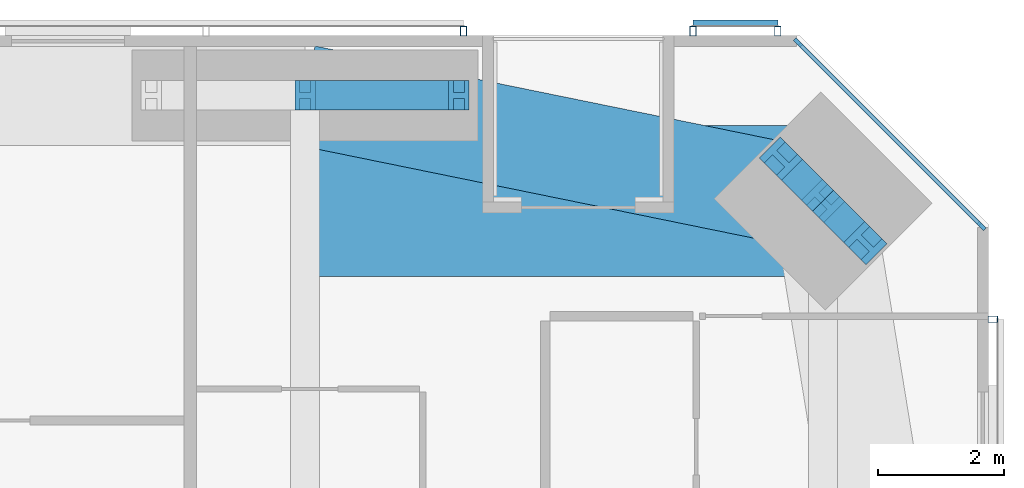
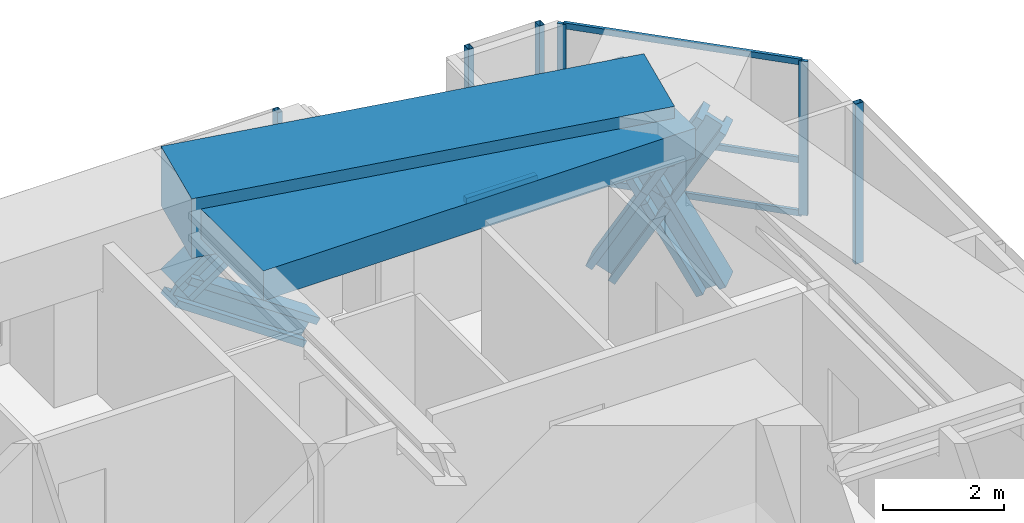
# One storey, part 14 of 23: 16 members, 2 beams, 4 elements without a shape of their own.
"""IFC4 building model written with IfcOpenShell, lengths in metres."""

import ifcopenshell
import ifcopenshell.guid

model = None  # the IFC model being written
_history = None  # IfcOwnerHistory: only IFC2X3 demands one
_inside = {}  # id of a spatial element -> (the spatial element, [elements in it])
_under = {}  # id of a project, library or spatial element -> (it, [spatial elements below it])
_declared = {}  # id of a project -> (the project, [libraries it declares])
_typed = {}  # id of a type object -> (the type object, [elements of that type])
_made_of = {}  # id of a material, layer set ... -> (it, [elements and type objects made of it])


def new_model(schema):
    """Start an empty IFC model of exactly this schema.

    Asked for "IFC4X3", IfcOpenShell would pick the latest addendum, in which some entities
    have other attributes; the version numbers below select the first issue.
    IFC2X3 requires an IfcOwnerHistory on every rooted entity: one is made here for all.
    """
    global model, _history
    if schema == "IFC4X3":
        model = ifcopenshell.file(schema_version=(4, 3, 0, 0))
    else:
        model = ifcopenshell.file(schema=schema)
    _inside.clear()
    _under.clear()
    _declared.clear()
    _typed.clear()
    _made_of.clear()
    _history = None
    if model.schema == "IFC2X3":
        org = make("IfcOrganization", Name="unknown")
        user = make(
            "IfcPersonAndOrganization",
            ThePerson=make("IfcPerson", FamilyName="unknown"),
            TheOrganization=org,
        )
        app = make(
            "IfcApplication",
            ApplicationDeveloper=org,
            Version="unknown",
            ApplicationFullName="unknown",
            ApplicationIdentifier="unknown",
        )
        _history = make(
            "IfcOwnerHistory",
            OwningUser=user,
            OwningApplication=app,
            ChangeAction="ADDED",
            CreationDate=0,
        )
    return model


def make(cls, **values):
    """One entity of the class cls with the attributes given. An attribute that is None is left unset."""
    return model.create_entity(
        cls, **{name: value for name, value in values.items() if value is not None}
    )


def rooted(cls, **values):
    """An entity with a GlobalId (a new one), such as an element, a storey or a relation."""
    return make(cls, GlobalId=ifcopenshell.guid.new(), OwnerHistory=_history, **values)


def si_unit(unit_type, name, prefix=None):
    """IfcSIUnit, for example si_unit("LENGTHUNIT", "METRE", prefix="MILLI")."""
    return make("IfcSIUnit", UnitType=unit_type, Prefix=prefix, Name=name)


def assignment(units):
    """IfcUnitAssignment: the units of a project."""
    return None if units is None else make("IfcUnitAssignment", Units=units)


def point(xyz):
    """IfcCartesianPoint."""
    return None if xyz is None else make("IfcCartesianPoint", Coordinates=xyz)


def direction(xyz):
    """IfcDirection."""
    return None if xyz is None else make("IfcDirection", DirectionRatios=xyz)


def frame(location, z_axis=None, x_axis=None):
    """IfcAxis2Placement3D, a coordinate frame: its origin and axes. An axis left out is left unset."""
    return make(
        "IfcAxis2Placement3D",
        Location=point(location),
        Axis=direction(z_axis),
        RefDirection=direction(x_axis),
    )


def frame_2d(location, x_axis=None):
    """IfcAxis2Placement2D, a coordinate frame in the plane: its origin and x axis."""
    return make(
        "IfcAxis2Placement2D", Location=point(location), RefDirection=direction(x_axis)
    )


def origin():
    """The frame at (0, 0, 0) with its axes left unset."""
    return frame((0.0, 0.0, 0.0))


def origin_2d():
    """The frame at (0, 0) in the plane with its x axis left unset."""
    return frame_2d((0.0, 0.0))


def place(relative_to, where):
    """IfcLocalPlacement: puts the frame where relative to a parent placement (None: the world)."""
    return make(
        "IfcLocalPlacement", PlacementRelTo=relative_to, RelativePlacement=where
    )


def context(
    kind, dimensions, precision=None, world=None, true_north=None, identifier=None
):
    """IfcGeometricRepresentationContext, for example the 3D "Model" context."""
    return make(
        "IfcGeometricRepresentationContext",
        ContextIdentifier=identifier,
        ContextType=kind,
        CoordinateSpaceDimension=dimensions,
        Precision=precision,
        WorldCoordinateSystem=world,
        TrueNorth=true_north,
    )


def subcontext(parent, identifier, kind, view, scale=None):
    """IfcGeometricRepresentationSubContext, for example "Body" below "Model"."""
    return make(
        "IfcGeometricRepresentationSubContext",
        ContextIdentifier=identifier,
        ContextType=kind,
        ParentContext=parent,
        TargetScale=scale,
        TargetView=view,
    )


def project(units=None, contexts=None):
    """IfcProject with its units and contexts."""
    return rooted(
        "IfcProject",
        Name="project",
        RepresentationContexts=contexts,
        UnitsInContext=assignment(units),
    )


def spatial(cls, under=None, at=None, **own):
    """A site, building, storey or space (cls), placed at a placement, below another one or the project."""
    s = rooted(cls, ObjectPlacement=at, **own)
    if under is not None:
        _under.setdefault(under.id(), (under, []))[1].append(s)
    return s


def profile(cls, at=None, kind="AREA", **sizes):
    """A parametric profile (cls). Its sizes go by their IFC names, for example OverallWidth=200.0."""
    return make(cls, ProfileType=kind, Position=at, **sizes)


def rectangle(**sizes):
    """IfcRectangleProfileDef."""
    return profile("IfcRectangleProfileDef", **sizes)


def hollow_rectangle(**sizes):
    """IfcRectangleHollowProfileDef."""
    return profile("IfcRectangleHollowProfileDef", **sizes)


def i_section(**sizes):
    """IfcIShapeProfileDef."""
    return profile("IfcIShapeProfileDef", **sizes)


def extrude(swept, where, along, depth):
    """IfcExtrudedAreaSolid: the profile swept, set in the frame where, extruded along a direction by depth."""
    return make(
        "IfcExtrudedAreaSolid",
        SweptArea=swept,
        Position=where,
        ExtrudedDirection=direction(along),
        Depth=depth,
    )


def shape(context_of_items, identifier, shape_type, items):
    """IfcShapeRepresentation: the items that make up one representation, for example the "Body"."""
    return make(
        "IfcShapeRepresentation",
        ContextOfItems=context_of_items,
        RepresentationIdentifier=identifier,
        RepresentationType=shape_type,
        Items=items,
    )


def material(Name=None, Category=None):
    """IfcMaterial."""
    return make("IfcMaterial", Name=Name, Category=Category)


def material_profile(
    of_material, cross_section, Name=None, Category=None, Priority=None
):
    """IfcMaterialProfile: a cross section and its material."""
    return make(
        "IfcMaterialProfile",
        Name=Name,
        Material=of_material,
        Profile=cross_section,
        Priority=Priority,
        Category=Category,
    )


def profile_set(profiles, Name=None, composite=None):
    """IfcMaterialProfileSet."""
    return make(
        "IfcMaterialProfileSet",
        Name=Name,
        MaterialProfiles=profiles,
        CompositeProfile=composite,
    )


def made_of(thing, what):
    """Note that an element or type object is made of a material, layer set ...; save() writes the relation."""
    if what is not None:
        _made_of.setdefault(what.id(), (what, []))[1].append(thing)
    return thing


def type_object(cls, material=None, **own):
    """A type object (cls), such as IfcWallType, which elements share."""
    return made_of(rooted(cls, **own), material)


def element(
    cls,
    number,
    at=None,
    inside=None,
    cuts=None,
    type_object=None,
    material=None,
    context=None,
    identifier="Body",
    shape_type=None,
    held_by="IfcProductDefinitionShape",
    body=None,
    shapes=None,
    **own,
):
    """One element of the class cls, such as IfcWall. Its Tag is "e" and its number.

    at: its placement. inside: the storey or other place that contains it. cuts: it is an
    opening in that element (IfcRelVoidsElement). A single representation is given by context,
    identifier, shape_type and body (its items); several are given by shapes. held_by: the class
    of the entity that holds the representations. save() writes the other relations.
    """
    e = rooted(cls, Tag="e%d" % number, ObjectPlacement=at, **own)
    if body is not None:
        shapes = [shape(context, identifier, shape_type, body)]
    if shapes is not None:
        e.Representation = make(held_by, Representations=shapes)
    if inside is not None:
        _inside.setdefault(inside.id(), (inside, []))[1].append(e)
    if cuts is not None:
        rooted(
            "IfcRelVoidsElement", RelatingBuildingElement=cuts, RelatedOpeningElement=e
        )
    if type_object is not None:
        _typed.setdefault(type_object.id(), (type_object, []))[1].append(e)
    return made_of(e, material)


def aggregate(whole, parts):
    """IfcRelAggregates: a whole, such as a stair, and the parts it consists of."""
    return rooted("IfcRelAggregates", RelatingObject=whole, RelatedObjects=parts)


def save(model, path):
    """Write the relations noted so far, then the file.

    IfcRelAggregates (storeys below a building ...), IfcRelContainedInSpatialStructure (elements
    in a storey), IfcRelDefinesByType, IfcRelAssociatesMaterial and IfcRelDeclares: one each for
    every whole, place, type object, material and project.
    """
    for whole, parts in _under.values():
        aggregate(whole, parts)
    for where, things in _inside.values():
        rooted(
            "IfcRelContainedInSpatialStructure",
            RelatedElements=things,
            RelatingStructure=where,
        )
    for kind, things in _typed.values():
        rooted("IfcRelDefinesByType", RelatedObjects=things, RelatingType=kind)
    for what, things in _made_of.values():
        rooted("IfcRelAssociatesMaterial", RelatedObjects=things, RelatingMaterial=what)
    for by, libraries in _declared.values():
        rooted("IfcRelDeclares", RelatingContext=by, RelatedDefinitions=libraries)
    model.write(path)


model = new_model("IFC4")

# Units and contexts
model_context = context("Model", 3, precision=1e-05, world=origin(), true_north=direction((0.0, 1.0)))
body_context = subcontext(model_context, "Body", "Model", "MODEL_VIEW")
ifc_project = project(units=[si_unit("LENGTHUNIT", "METRE"), si_unit("AREAUNIT", "SQUARE_METRE"), si_unit("VOLUMEUNIT", "CUBIC_METRE"), si_unit("PLANEANGLEUNIT", "RADIAN"), si_unit("MASSUNIT", "GRAM", prefix="KILO")], contexts=[model_context])

# Site, building, storey
site_placement = place(None, origin())
site = spatial("IfcSite", under=ifc_project, at=site_placement, CompositionType="ELEMENT")
building_placement = place(site_placement, origin())
building = spatial("IfcBuilding", under=site, at=building_placement, Name="Jalousie Tower", CompositionType="ELEMENT")
storey_placement = place(building_placement, frame((0.0, 0.0, 121.60009765625)))
storey = spatial("IfcBuildingStorey", under=building, at=storey_placement, Name="L33", CompositionType="ELEMENT", Elevation=121.60009765625)

# Curtain wall, members
ifc_material_1 = material(Name="Aluminium curtain wall", Category="aluminium")
curtain_wall_type_1 = type_object("IfcCurtainWallType", Name="CORNER WINDOW WALL", PredefinedType="USERDEFINED", material=ifc_material_1)
curtain_wall_1_placement = place(storey_placement, origin())
curtain_wall_1 = element("IfcCurtainWall", 1, at=curtain_wall_1_placement, inside=storey, type_object=curtain_wall_type_1, Name="Corner Window Wall L33 4", ObjectType="CORNER WINDOW WALL", PredefinedType="USERDEFINED")
ifc_material_2 = material(Name="Aluminium mullion", Category="aluminium")
ifc_material_profile_1 = material_profile(ifc_material_2, rectangle(XDim=0.06005859375, YDim=0.14990234375, at=origin_2d()), Name="MULLION 60x150")
ifc_profile_set_1 = profile_set([ifc_material_profile_1], Name="Aluminium mullion")
member_type_1 = type_object("IfcMemberType", Name="CORNER WINDOW WALL MULLION", PredefinedType="MULLION", material=ifc_profile_set_1)
member_1_placement = place(storey_placement, frame((49.391357421875, 34.969970703125, 0.0), z_axis=(0.0, 0.0, 1.0), x_axis=(-0.707106781187, -0.707106781187, 0.0)))
member_1 = element("IfcMember", 2, at=member_1_placement, type_object=member_type_1, Name="CW-C mullion 1", PredefinedType="MULLION", context=body_context, shape_type="SweptSolid", body=[
    extrude(rectangle(XDim=0.06005859375, YDim=0.14990234375, at=origin_2d()), origin(), (0.0, 0.0, 1.0), 3.10986328125),
])
member_2_placement = place(storey_placement, frame((46.469970703125, 37.891357421875, 0.0), z_axis=(0.0, 0.0, 1.0), x_axis=(-0.707106781187, -0.707106781187, 0.0)))
member_2 = element("IfcMember", 3, at=member_2_placement, type_object=member_type_1, Name="CW-C mullion 2", PredefinedType="MULLION", context=body_context, shape_type="SweptSolid", body=[
    extrude(rectangle(XDim=0.06005859375, YDim=0.14990234375, at=origin_2d()), origin(), (0.0, 0.0, 1.0), 3.10986328125),
])
ifc_material_3 = material(Name="Aluminium transom", Category="aluminium")
ifc_material_profile_2 = material_profile(ifc_material_3, rectangle(XDim=0.06005859375, YDim=0.1201171875, at=origin_2d()), Name="TRANSOM 60x120")
ifc_profile_set_2 = profile_set([ifc_material_profile_2], Name="Aluminium transom")
member_type_2 = type_object("IfcMemberType", Name="CORNER WINDOW WALL TRANSOM", PredefinedType="USERDEFINED", material=ifc_profile_set_2)
member_3_placement = place(storey_placement, frame((49.3701171875, 34.9912109375, 0.02978515625), z_axis=(-0.707106781187, 0.707106781187, 0.0), x_axis=(-0.707106781187, -0.707106781187, 0.0)))
member_3 = element("IfcMember", 4, at=member_3_placement, type_object=member_type_2, Name="CW-C transom 1.1", ObjectType="TRANSOM", PredefinedType="USERDEFINED", context=body_context, shape_type="SweptSolid", body=[
    extrude(rectangle(XDim=0.06005859375, YDim=0.1201171875, at=origin_2d()), origin(), (0.0, 0.0, 1.0), 4.0712890625),
])
member_4_placement = place(storey_placement, frame((49.3701171875, 34.9912109375, 1.099853515625), z_axis=(-0.707106781187, 0.707106781187, 0.0), x_axis=(-0.707106781187, -0.707106781187, 0.0)))
member_4 = element("IfcMember", 5, at=member_4_placement, type_object=member_type_2, Name="CW-C transom 1.2", ObjectType="TRANSOM", PredefinedType="USERDEFINED", context=body_context, shape_type="SweptSolid", body=[
    extrude(rectangle(XDim=0.06005859375, YDim=0.1201171875, at=origin_2d()), origin(), (0.0, 0.0, 1.0), 4.0712890625),
])
member_5_placement = place(storey_placement, frame((49.3701171875, 34.9912109375, 3.079833984375), z_axis=(-0.707106781187, 0.707106781187, 0.0), x_axis=(-0.707106781187, -0.707106781187, 0.0)))
member_5 = element("IfcMember", 6, at=member_5_placement, type_object=member_type_2, Name="CW-C transom 1.3", ObjectType="TRANSOM", PredefinedType="USERDEFINED", context=body_context, shape_type="SweptSolid", body=[
    extrude(rectangle(XDim=0.06005859375, YDim=0.1201171875, at=origin_2d()), origin(), (0.0, 0.0, 1.0), 4.0712890625),
])
aggregate(curtain_wall_1, [member_1, member_2, member_3, member_4, member_5])

# Members
ifc_material_4 = material(Name="Steel ASTM A992 Grade 50", Category="steel")
ifc_material_profile_3 = material_profile(ifc_material_4, i_section(OverallWidth=0.472412109375, OverallDepth=0.5791015625, WebThickness=0.094970703125, FlangeThickness=0.1298828125, at=origin_2d()), Name="W14X808")
ifc_profile_set_3 = profile_set([ifc_material_profile_3], Name="Steel ASTM A992 Grade 50")
member_type_3 = type_object("IfcMemberType", Name="PERIMETER BRACE W14X808", PredefinedType="BRACE", material=ifc_profile_set_3)
for number, where, z_axis, x_axis, name in (
    (7, (47.540283203125, 34.697021484375, -0.60009765625), (-0.348789058631, 0.348789058631, 0.869880672943), (-0.707106781187, -0.707106781187, 0.0), "Perimeter brace 08 L33 part 1"),
    (8, (46.86865234375, 35.36865234375, 1.074951171875), (-0.348789058631, 0.348789058631, 0.869880672943), (-0.707106781187, -0.707106781187, 0.0), "Perimeter brace 08 L33 part 2"),
    (9, (46.197021484375, 36.040283203125, -0.60009765625), (0.348789058631, -0.348789058631, 0.869880672943), (0.707106781187, 0.707106781187, 0.0), "Perimeter brace 08 L33 part 3"),
    (10, (46.86865234375, 35.36865234375, 1.074951171875), (0.348789058631, -0.348789058631, 0.869880672943), (0.707106781187, 0.707106781187, 0.0), "Perimeter brace 08 L33 part 4"),
):
    element("IfcMember", number, at=place(storey_placement, frame(where, z_axis=z_axis, x_axis=x_axis)), inside=storey, type_object=member_type_3, Name=name, PredefinedType="BRACE", context=body_context, shape_type="SweptSolid", body=[
        extrude(i_section(OverallWidth=0.472412109375, OverallDepth=0.5791015625, WebThickness=0.094970703125, FlangeThickness=0.1298828125, at=origin_2d()), origin(), (0.0, 0.0, 1.0), 1.925537109375),
    ])
for number, where, z_axis, x_axis, name in (
    (11, (38.625, 37.050048828125, 1.074951171875), (0.825500916831, 0.0, 0.564400776321), (0.0, 1.0, 0.0), "Perimeter brace 09 L33 part 2"),
    (12, (41.074951171875, 37.050048828125, -0.60009765625), (-0.825500916831, 0.0, 0.564400776321), (0.0, -1.0, 0.0), "Perimeter brace 09 L33 part 3"),
):
    element("IfcMember", number, at=place(storey_placement, frame(where, z_axis=z_axis, x_axis=x_axis)), inside=storey, type_object=member_type_3, Name=name, PredefinedType="BRACE", context=body_context, shape_type="SweptSolid", body=[
        extrude(i_section(OverallWidth=0.472412109375, OverallDepth=0.5791015625, WebThickness=0.094970703125, FlangeThickness=0.1298828125, at=origin_2d()), origin(), (0.0, 0.0, 1.0), 2.9677734375),
    ])

# Beams
ifc_material_5 = material(Name="Concrete f'c 40 MPa", Category="concrete")
ifc_material_profile_4 = material_profile(ifc_material_5, rectangle(XDim=1.60009765625, YDim=1.199951171875, at=origin_2d()), Name="RC 1600x1200")
ifc_profile_set_4 = profile_set([ifc_material_profile_4], Name="Concrete f'c 40 MPa")
beam_type_1 = type_object("IfcBeamType", Name="RC BEAM 1600x1200", PredefinedType="BEAM", material=ifc_profile_set_4)
beam_1_placement = place(storey_placement, frame((46.86865234375, 35.36865234375, 2.75), z_axis=(-0.97982690954, 0.199848010602, 0.0), x_axis=(-0.199848010602, -0.97982690954, 0.0)))
element("IfcBeam", 13, at=beam_1_placement, inside=storey, type_object=beam_type_1, Name="Edge band beam 08-09 under L34", PredefinedType="BEAM", context=body_context, shape_type="SweptSolid", body=[
    extrude(rectangle(XDim=1.60009765625, YDim=1.199951171875, at=origin_2d()), origin(), (0.0, 0.0, 1.0), 8.413330078125),
])
ifc_material_6 = material(Name="Concrete f'c 40 MPa", Category="concrete")
ifc_material_profile_5 = material_profile(ifc_material_6, rectangle(XDim=2.39990234375, YDim=0.60009765625, at=origin_2d()), Name="RC 2400x600")
ifc_profile_set_5 = profile_set([ifc_material_profile_5], Name="Concrete f'c 40 MPa")
beam_type_2 = type_object("IfcBeamType", Name="RC BEAM 2400x600", PredefinedType="BEAM", material=ifc_profile_set_5)
beam_2_placement = place(storey_placement, frame((46.86865234375, 35.36865234375, 2.809814453125), z_axis=(-1.0, 0.0, 0.0), x_axis=(0.0, -1.0, 0.0)))
element("IfcBeam", 14, at=beam_2_placement, inside=storey, type_object=beam_type_2, Name="Floor band beam under L34", PredefinedType="BEAM", context=body_context, shape_type="SweptSolid", body=[
    extrude(rectangle(XDim=2.39990234375, YDim=0.60009765625, at=origin_2d()), origin(), (0.0, 0.0, 1.0), 8.24365234375),
])

# Curtain wall, member
ifc_material_7 = material(Name="Perforated aluminium sheet", Category="aluminium")
curtain_wall_type_2 = type_object("IfcCurtainWallType", Name="SOLAR SCREEN SS-1", PredefinedType="USERDEFINED", material=ifc_material_7)
curtain_wall_2_placement = place(storey_placement, origin())
curtain_wall_2 = element("IfcCurtainWall", 15, at=curtain_wall_2_placement, inside=storey, type_object=curtain_wall_type_2, Name="Solar screen L33", ObjectType="SOLAR SCREEN SS-1", PredefinedType="USERDEFINED")
ifc_material_8 = material(Name="Steel ASTM A500 Grade C", Category="steel")
ifc_material_profile_6 = material_profile(ifc_material_8, hollow_rectangle(XDim=0.1015625, YDim=0.15234375, WallThickness=0.00634765625, at=origin_2d()), Name="HSS6X4X1/4")
ifc_profile_set_6 = profile_set([ifc_material_profile_6], Name="Steel ASTM A500 Grade C")
member_type_4 = type_object("IfcMemberType", Name="SOLAR SCREEN SS-1 MULLION", PredefinedType="MULLION", material=ifc_profile_set_6)
member_6_placement = place(storey_placement, frame((49.5712890625, 33.486083984375, -0.1201171875), z_axis=(0.0, 0.0, 1.0), x_axis=(0.0, 1.0, 0.0)))
member_6 = element("IfcMember", 16, at=member_6_placement, type_object=member_type_4, Name="SS1 post 4", PredefinedType="MULLION", context=body_context, shape_type="SweptSolid", body=[
    extrude(hollow_rectangle(XDim=0.1015625, YDim=0.15234375, WallThickness=0.00634765625, at=origin_2d()), origin(), (0.0, 0.0, 1.0), 3.22998046875),
])
aggregate(curtain_wall_2, [member_6])

# Curtain wall, members
curtain_wall_3_placement = place(storey_placement, origin())
curtain_wall_3 = element("IfcCurtainWall", 17, at=curtain_wall_3_placement, inside=storey, type_object=curtain_wall_type_2, Name="Solar screen L33", ObjectType="SOLAR SCREEN SS-1", PredefinedType="USERDEFINED")
member_7_placement = place(storey_placement, frame((46.148681640625, 38.0712890625, -0.1201171875), z_axis=(0.0, 0.0, 1.0), x_axis=(-1.0, 0.0, 0.0)))
member_7 = element("IfcMember", 18, at=member_7_placement, type_object=member_type_4, Name="SS1 post 1", PredefinedType="MULLION", context=body_context, shape_type="SweptSolid", body=[
    extrude(hollow_rectangle(XDim=0.1015625, YDim=0.15234375, WallThickness=0.00634765625, at=origin_2d()), origin(), (0.0, 0.0, 1.0), 3.22998046875),
])
member_8_placement = place(storey_placement, frame((44.798583984375, 38.0712890625, -0.1201171875), z_axis=(0.0, 0.0, 1.0), x_axis=(-1.0, 0.0, 0.0)))
member_8 = element("IfcMember", 19, at=member_8_placement, type_object=member_type_4, Name="SS1 post 2", PredefinedType="MULLION", context=body_context, shape_type="SweptSolid", body=[
    extrude(hollow_rectangle(XDim=0.1015625, YDim=0.15234375, WallThickness=0.00634765625, at=origin_2d()), origin(), (0.0, 0.0, 1.0), 3.22998046875),
])

# Curtain wall, member
curtain_wall_4_placement = place(storey_placement, origin())
curtain_wall_4 = element("IfcCurtainWall", 20, at=curtain_wall_4_placement, inside=storey, type_object=curtain_wall_type_2, Name="Solar screen L33", ObjectType="SOLAR SCREEN SS-1", PredefinedType="USERDEFINED")
member_9_placement = place(storey_placement, frame((41.148681640625, 38.0712890625, -0.1201171875), z_axis=(0.0, 0.0, 1.0), x_axis=(-1.0, 0.0, 0.0)))
member_9 = element("IfcMember", 21, at=member_9_placement, type_object=member_type_4, Name="SS1 post 1", PredefinedType="MULLION", context=body_context, shape_type="SweptSolid", body=[
    extrude(hollow_rectangle(XDim=0.1015625, YDim=0.15234375, WallThickness=0.00634765625, at=origin_2d()), origin(), (0.0, 0.0, 1.0), 3.22998046875),
])
aggregate(curtain_wall_4, [member_9])

# Member
ifc_material_9 = material(Name="Extruded aluminium screen rail", Category="aluminium")
ifc_material_profile_7 = material_profile(ifc_material_9, rectangle(XDim=0.1015625, YDim=0.1201171875, at=origin_2d()), Name="RAIL 102x120")
ifc_profile_set_7 = profile_set([ifc_material_profile_7], Name="Extruded aluminium screen rail")
member_type_5 = type_object("IfcMemberType", Name="SOLAR SCREEN SS-1 TRANSOM", PredefinedType="USERDEFINED", material=ifc_profile_set_7)
member_10_placement = place(storey_placement, frame((46.148681640625, 38.1982421875, -0.06005859375), z_axis=(-1.0, 0.0, 0.0), x_axis=(0.0, -1.0, 0.0)))
member_10 = element("IfcMember", 22, at=member_10_placement, type_object=member_type_5, Name="SS1 rail", ObjectType="TRANSOM", PredefinedType="USERDEFINED", context=body_context, shape_type="SweptSolid", body=[
    extrude(rectangle(XDim=0.1015625, YDim=0.1201171875, at=origin_2d()), origin(), (0.0, 0.0, 1.0), 1.35009765625),
])

aggregate(curtain_wall_3, [member_7, member_8, member_10])

save(model, "model.ifc")
